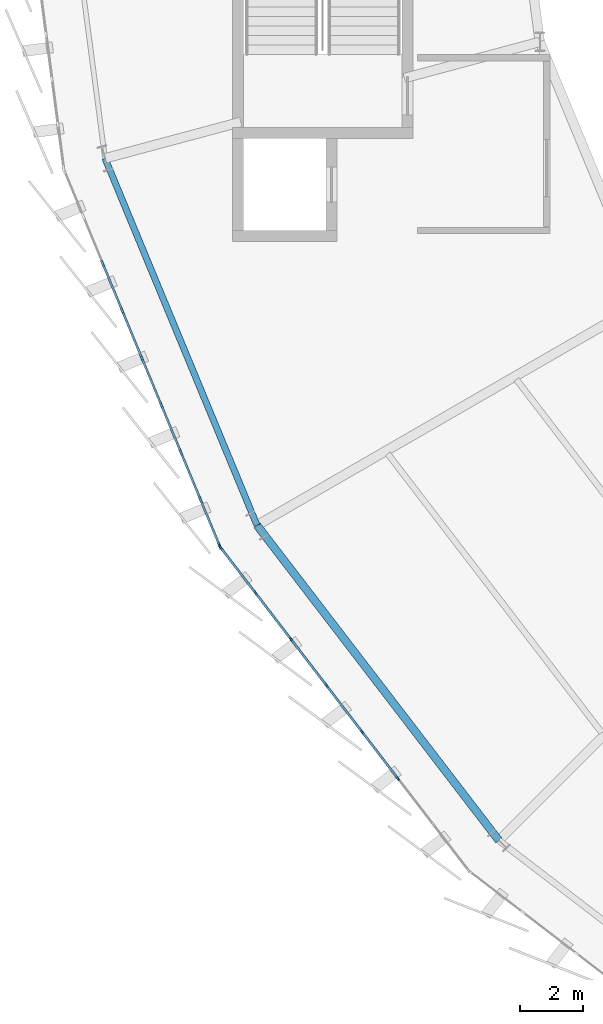
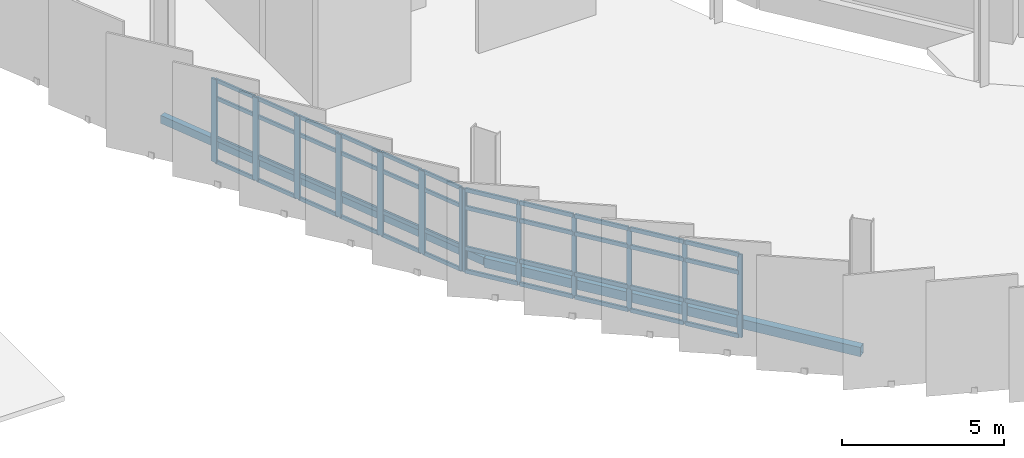
# One storey, part 17 of 87: 57 members, 2 beams, 2 elements without a shape of their own.
"""IFC4 building model written with IfcOpenShell, lengths in metres."""

from ifc_helpers import new_model, si_unit, direction, frame, origin, origin_2d, place, context, subcontext, project, spatial, rectangle, hollow_rectangle, extrude, material, layer, layer_set, material_profile, profile_set, type_object, element, aggregate, save


model = new_model("IFC4")

# Units and contexts
model_context = context("Model", 3, precision=1e-05, world=origin(), true_north=direction((0.0, 1.0)))
body_context = subcontext(model_context, "Body", "Model", "MODEL_VIEW")
ifc_project = project(units=[si_unit("LENGTHUNIT", "METRE"), si_unit("AREAUNIT", "SQUARE_METRE"), si_unit("VOLUMEUNIT", "CUBIC_METRE"), si_unit("PLANEANGLEUNIT", "RADIAN"), si_unit("MASSUNIT", "GRAM", prefix="KILO")], contexts=[model_context])

# Site, building, storey
site_placement = place(None, origin())
site = spatial("IfcSite", under=ifc_project, at=site_placement, CompositionType="ELEMENT")
building_placement = place(site_placement, origin())
building = spatial("IfcBuilding", under=site, at=building_placement, Name="Sohan Crest Arena", CompositionType="ELEMENT")
storey_placement = place(building_placement, frame((0.0, 0.0, 18.0)))
storey = spatial("IfcBuildingStorey", under=building, at=storey_placement, Name="L04", CompositionType="ELEMENT", Elevation=18.0)

# Curtain wall, members
ifc_material_1 = material(Name="Thermally broken anodised aluminium", Category="aluminium")
ifc_layer_1 = layer(ifc_material_1, 0.219970703125, Name="Thermally broken anodised aluminium")
ifc_layer_set_1 = layer_set([ifc_layer_1], Name="Thermally broken anodised aluminium")
curtain_wall_type_1 = type_object("IfcCurtainWallType", Name="ARC-CW03", PredefinedType="NOTDEFINED", material=ifc_layer_set_1)
curtain_wall_1_placement = place(storey_placement, origin())
curtain_wall_1 = element("IfcCurtainWall", 1, at=curtain_wall_1_placement, inside=storey, type_object=curtain_wall_type_1, Name="Unitised curtain wall CW-120", PredefinedType="NOTDEFINED")
ifc_material_profile_1 = material_profile(ifc_material_1, rectangle(XDim=0.06005859375, YDim=0.159912109375, at=origin_2d()), Name="ALU-MULL 60x160")
ifc_profile_set_1 = profile_set([ifc_material_profile_1], Name="Thermally broken anodised aluminium")
member_type_1 = type_object("IfcMemberType", Name="ARC-CW-ML01", PredefinedType="MULLION", material=ifc_profile_set_1)
member_1_placement = place(storey_placement, frame((55.2802734375, 53.30126953125, 0.0), z_axis=(0.0, 0.0, 1.0), x_axis=(0.793385172815, 0.60871994181, 0.0)))
member_1 = element("IfcMember", 2, at=member_1_placement, type_object=member_type_1, Name="CW-120 mullion 1", PredefinedType="MULLION", context=body_context, shape_type="SweptSolid", body=[
    extrude(rectangle(XDim=0.06005859375, YDim=0.159912109375, at=origin_2d()), origin(), (0.0, 0.0, 1.0), 3.1201171875),
])
member_2_placement = place(storey_placement, frame((56.38232421875, 51.86474609375, 0.0), z_axis=(0.0, 0.0, 1.0), x_axis=(0.793385172815, 0.60871994181, 0.0)))
member_2 = element("IfcMember", 3, at=member_2_placement, type_object=member_type_1, Name="CW-120 mullion 2", PredefinedType="MULLION", context=body_context, shape_type="SweptSolid", body=[
    extrude(rectangle(XDim=0.06005859375, YDim=0.159912109375, at=origin_2d()), origin(), (0.0, 0.0, 1.0), 3.1201171875),
])
member_3_placement = place(storey_placement, frame((57.502685546875, 50.40478515625, 0.0), z_axis=(0.0, 0.0, 1.0), x_axis=(0.793385172815, 0.60871994181, 0.0)))
member_3 = element("IfcMember", 4, at=member_3_placement, type_object=member_type_1, Name="CW-120 mullion 3", PredefinedType="MULLION", context=body_context, shape_type="SweptSolid", body=[
    extrude(rectangle(XDim=0.06005859375, YDim=0.159912109375, at=origin_2d()), origin(), (0.0, 0.0, 1.0), 3.1201171875),
])
member_4_placement = place(storey_placement, frame((58.622802734375, 48.944580078125, 0.0), z_axis=(0.0, 0.0, 1.0), x_axis=(0.793385172815, 0.60871994181, 0.0)))
member_4 = element("IfcMember", 5, at=member_4_placement, type_object=member_type_1, Name="CW-120 mullion 4", PredefinedType="MULLION", context=body_context, shape_type="SweptSolid", body=[
    extrude(rectangle(XDim=0.06005859375, YDim=0.159912109375, at=origin_2d()), origin(), (0.0, 0.0, 1.0), 3.1201171875),
])
member_5_placement = place(storey_placement, frame((59.7431640625, 47.484375, 0.0), z_axis=(0.0, 0.0, 1.0), x_axis=(0.793385172815, 0.60871994181, 0.0)))
member_5 = element("IfcMember", 6, at=member_5_placement, type_object=member_type_1, Name="CW-120 mullion 5", PredefinedType="MULLION", context=body_context, shape_type="SweptSolid", body=[
    extrude(rectangle(XDim=0.06005859375, YDim=0.159912109375, at=origin_2d()), origin(), (0.0, 0.0, 1.0), 3.1201171875),
])
member_6_placement = place(storey_placement, frame((60.863525390625, 46.024169921875, 0.0), z_axis=(0.0, 0.0, 1.0), x_axis=(0.793385172815, 0.60871994181, 0.0)))
member_6 = element("IfcMember", 7, at=member_6_placement, type_object=member_type_1, Name="CW-120 mullion 6", PredefinedType="MULLION", context=body_context, shape_type="SweptSolid", body=[
    extrude(rectangle(XDim=0.06005859375, YDim=0.159912109375, at=origin_2d()), origin(), (0.0, 0.0, 1.0), 3.1201171875),
])

ifc_layer_2 = layer(ifc_material_1, 0.199951171875, Name="Thermally broken anodised aluminium")
ifc_layer_set_2 = layer_set([ifc_layer_2], Name="Thermally broken anodised aluminium")
curtain_wall_type_2 = type_object("IfcCurtainWallType", Name="ARC-CW02", PredefinedType="NOTDEFINED", material=ifc_layer_set_2)
curtain_wall_2_placement = place(storey_placement, origin())
curtain_wall_2 = element("IfcCurtainWall", 8, at=curtain_wall_2_placement, inside=storey, type_object=curtain_wall_type_2, Name="Unitised curtain wall CW-119", PredefinedType="NOTDEFINED")
ifc_material_profile_2 = material_profile(ifc_material_1, rectangle(XDim=0.074951171875, YDim=0.219970703125, at=origin_2d()), Name="ALU-MULL 75x220")
ifc_profile_set_2 = profile_set([ifc_material_profile_2], Name="Thermally broken anodised aluminium")
member_type_2 = type_object("IfcMemberType", Name="ARC-CW-ML04", PredefinedType="MULLION", material=ifc_profile_set_2)
member_7_placement = place(storey_placement, frame((51.564453125, 62.25146484375, 0.0), z_axis=(0.0, 0.0, 1.0), x_axis=(0.923878704229, 0.382685432009, 0.0)))
member_7 = element("IfcMember", 9, at=member_7_placement, type_object=member_type_2, Name="CW-119 mullion 3", PredefinedType="MULLION", context=body_context, shape_type="SweptSolid", body=[
    extrude(rectangle(XDim=0.074951171875, YDim=0.219970703125, at=origin_2d()), origin(), (0.0, 0.0, 1.0), 3.1201171875),
])
member_8_placement = place(storey_placement, frame((52.1806640625, 60.763671875, 0.0), z_axis=(0.0, 0.0, 1.0), x_axis=(0.923878704229, 0.382685432009, 0.0)))
member_8 = element("IfcMember", 10, at=member_8_placement, type_object=member_type_2, Name="CW-119 mullion 4", PredefinedType="MULLION", context=body_context, shape_type="SweptSolid", body=[
    extrude(rectangle(XDim=0.074951171875, YDim=0.219970703125, at=origin_2d()), origin(), (0.0, 0.0, 1.0), 3.1201171875),
])
member_9_placement = place(storey_placement, frame((52.797119140625, 59.27587890625, 0.0), z_axis=(0.0, 0.0, 1.0), x_axis=(0.923878704229, 0.382685432009, 0.0)))
member_9 = element("IfcMember", 11, at=member_9_placement, type_object=member_type_2, Name="CW-119 mullion 5", PredefinedType="MULLION", context=body_context, shape_type="SweptSolid", body=[
    extrude(rectangle(XDim=0.074951171875, YDim=0.219970703125, at=origin_2d()), origin(), (0.0, 0.0, 1.0), 3.1201171875),
])
member_10_placement = place(storey_placement, frame((53.413330078125, 57.788330078125, 0.0), z_axis=(0.0, 0.0, 1.0), x_axis=(0.923878704229, 0.382685432009, 0.0)))
member_10 = element("IfcMember", 12, at=member_10_placement, type_object=member_type_2, Name="CW-119 mullion 6", PredefinedType="MULLION", context=body_context, shape_type="SweptSolid", body=[
    extrude(rectangle(XDim=0.074951171875, YDim=0.219970703125, at=origin_2d()), origin(), (0.0, 0.0, 1.0), 3.1201171875),
])
member_11_placement = place(storey_placement, frame((54.029541015625, 56.300537109375, 0.0), z_axis=(0.0, 0.0, 1.0), x_axis=(0.923878704229, 0.382685432009, 0.0)))
member_11 = element("IfcMember", 13, at=member_11_placement, type_object=member_type_2, Name="CW-119 mullion 7", PredefinedType="MULLION", context=body_context, shape_type="SweptSolid", body=[
    extrude(rectangle(XDim=0.074951171875, YDim=0.219970703125, at=origin_2d()), origin(), (0.0, 0.0, 1.0), 3.1201171875),
])
member_12_placement = place(storey_placement, frame((54.645751953125, 54.812744140625, 0.0), z_axis=(0.0, 0.0, 1.0), x_axis=(0.923878704229, 0.382685432009, 0.0)))
member_12 = element("IfcMember", 14, at=member_12_placement, type_object=member_type_2, Name="CW-119 mullion 8", PredefinedType="MULLION", context=body_context, shape_type="SweptSolid", body=[
    extrude(rectangle(XDim=0.074951171875, YDim=0.219970703125, at=origin_2d()), origin(), (0.0, 0.0, 1.0), 3.1201171875),
])
member_13_placement = place(storey_placement, frame((55.24755859375, 53.359619140625, 0.0), z_axis=(0.0, 0.0, 1.0), x_axis=(0.923878704229, 0.382685432009, 0.0)))
member_13 = element("IfcMember", 15, at=member_13_placement, type_object=member_type_2, Name="CW-119 mullion 9", PredefinedType="MULLION", context=body_context, shape_type="SweptSolid", body=[
    extrude(rectangle(XDim=0.074951171875, YDim=0.219970703125, at=origin_2d()), origin(), (0.0, 0.0, 1.0), 3.1201171875),
])
ifc_material_profile_3 = material_profile(ifc_material_1, rectangle(XDim=0.06494140625, YDim=0.139892578125, at=origin_2d()), Name="ALU-TRAN 65x140")
ifc_profile_set_3 = profile_set([ifc_material_profile_3], Name="Thermally broken anodised aluminium")
member_type_3 = type_object("IfcMemberType", Name="ARC-CW-TR02", PredefinedType="USERDEFINED", material=ifc_profile_set_3)
member_14_placement = place(storey_placement, frame((51.578857421875, 62.216796875, 0.032470703125), z_axis=(0.38274032778, -0.923855963606, 0.0), x_axis=(0.923855963606, 0.38274032778, 0.0)))
member_14 = element("IfcMember", 16, at=member_14_placement, type_object=member_type_3, Name="CW-119 transom 3.1", ObjectType="TRANSOM", PredefinedType="USERDEFINED", context=body_context, shape_type="SweptSolid", body=[
    extrude(rectangle(XDim=0.06494140625, YDim=0.139892578125, at=origin_2d()), origin(), (0.0, 0.0, 1.0), 1.535400390625),
])
member_15_placement = place(storey_placement, frame((51.578857421875, 62.216796875, 0.89990234375), z_axis=(0.38274032778, -0.923855963606, 0.0), x_axis=(0.923855963606, 0.38274032778, 0.0)))
member_15 = element("IfcMember", 17, at=member_15_placement, type_object=member_type_3, Name="CW-119 transom 3.2", ObjectType="TRANSOM", PredefinedType="USERDEFINED", context=body_context, shape_type="SweptSolid", body=[
    extrude(rectangle(XDim=0.06494140625, YDim=0.139892578125, at=origin_2d()), origin(), (0.0, 0.0, 1.0), 1.535400390625),
])
member_16_placement = place(storey_placement, frame((51.578857421875, 62.216796875, 2.419921875), z_axis=(0.38274032778, -0.923855963606, 0.0), x_axis=(0.923855963606, 0.38274032778, 0.0)))
member_16 = element("IfcMember", 18, at=member_16_placement, type_object=member_type_3, Name="CW-119 transom 3.3", ObjectType="TRANSOM", PredefinedType="USERDEFINED", context=body_context, shape_type="SweptSolid", body=[
    extrude(rectangle(XDim=0.06494140625, YDim=0.139892578125, at=origin_2d()), origin(), (0.0, 0.0, 1.0), 1.535400390625),
])
member_17_placement = place(storey_placement, frame((51.578857421875, 62.216796875, 3.08740234375), z_axis=(0.38274032778, -0.923855963606, 0.0), x_axis=(0.923855963606, 0.38274032778, 0.0)))
member_17 = element("IfcMember", 19, at=member_17_placement, type_object=member_type_3, Name="CW-119 transom 3.4", ObjectType="TRANSOM", PredefinedType="USERDEFINED", context=body_context, shape_type="SweptSolid", body=[
    extrude(rectangle(XDim=0.06494140625, YDim=0.139892578125, at=origin_2d()), origin(), (0.0, 0.0, 1.0), 1.535400390625),
])
member_18_placement = place(storey_placement, frame((52.195068359375, 60.72900390625, 0.032470703125), z_axis=(0.38274032778, -0.923855963606, 0.0), x_axis=(0.923855963606, 0.38274032778, 0.0)))
member_18 = element("IfcMember", 20, at=member_18_placement, type_object=member_type_3, Name="CW-119 transom 4.1", ObjectType="TRANSOM", PredefinedType="USERDEFINED", context=body_context, shape_type="SweptSolid", body=[
    extrude(rectangle(XDim=0.06494140625, YDim=0.139892578125, at=origin_2d()), origin(), (0.0, 0.0, 1.0), 1.535400390625),
])
member_19_placement = place(storey_placement, frame((52.195068359375, 60.72900390625, 0.89990234375), z_axis=(0.38274032778, -0.923855963606, 0.0), x_axis=(0.923855963606, 0.38274032778, 0.0)))
member_19 = element("IfcMember", 21, at=member_19_placement, type_object=member_type_3, Name="CW-119 transom 4.2", ObjectType="TRANSOM", PredefinedType="USERDEFINED", context=body_context, shape_type="SweptSolid", body=[
    extrude(rectangle(XDim=0.06494140625, YDim=0.139892578125, at=origin_2d()), origin(), (0.0, 0.0, 1.0), 1.535400390625),
])
member_20_placement = place(storey_placement, frame((52.195068359375, 60.72900390625, 2.419921875), z_axis=(0.38274032778, -0.923855963606, 0.0), x_axis=(0.923855963606, 0.38274032778, 0.0)))
member_20 = element("IfcMember", 22, at=member_20_placement, type_object=member_type_3, Name="CW-119 transom 4.3", ObjectType="TRANSOM", PredefinedType="USERDEFINED", context=body_context, shape_type="SweptSolid", body=[
    extrude(rectangle(XDim=0.06494140625, YDim=0.139892578125, at=origin_2d()), origin(), (0.0, 0.0, 1.0), 1.535400390625),
])
member_21_placement = place(storey_placement, frame((52.195068359375, 60.72900390625, 3.08740234375), z_axis=(0.38274032778, -0.923855963606, 0.0), x_axis=(0.923855963606, 0.38274032778, 0.0)))
member_21 = element("IfcMember", 23, at=member_21_placement, type_object=member_type_3, Name="CW-119 transom 4.4", ObjectType="TRANSOM", PredefinedType="USERDEFINED", context=body_context, shape_type="SweptSolid", body=[
    extrude(rectangle(XDim=0.06494140625, YDim=0.139892578125, at=origin_2d()), origin(), (0.0, 0.0, 1.0), 1.535400390625),
])
member_22_placement = place(storey_placement, frame((52.811279296875, 59.241455078125, 0.032470703125), z_axis=(0.38274032778, -0.923855963606, 0.0), x_axis=(0.923855963606, 0.38274032778, 0.0)))
member_22 = element("IfcMember", 24, at=member_22_placement, type_object=member_type_3, Name="CW-119 transom 5.1", ObjectType="TRANSOM", PredefinedType="USERDEFINED", context=body_context, shape_type="SweptSolid", body=[
    extrude(rectangle(XDim=0.06494140625, YDim=0.139892578125, at=origin_2d()), origin(), (0.0, 0.0, 1.0), 1.535400390625),
])
member_23_placement = place(storey_placement, frame((52.811279296875, 59.241455078125, 0.89990234375), z_axis=(0.38274032778, -0.923855963606, 0.0), x_axis=(0.923855963606, 0.38274032778, 0.0)))
member_23 = element("IfcMember", 25, at=member_23_placement, type_object=member_type_3, Name="CW-119 transom 5.2", ObjectType="TRANSOM", PredefinedType="USERDEFINED", context=body_context, shape_type="SweptSolid", body=[
    extrude(rectangle(XDim=0.06494140625, YDim=0.139892578125, at=origin_2d()), origin(), (0.0, 0.0, 1.0), 1.535400390625),
])
member_24_placement = place(storey_placement, frame((52.811279296875, 59.241455078125, 2.419921875), z_axis=(0.38274032778, -0.923855963606, 0.0), x_axis=(0.923855963606, 0.38274032778, 0.0)))
member_24 = element("IfcMember", 26, at=member_24_placement, type_object=member_type_3, Name="CW-119 transom 5.3", ObjectType="TRANSOM", PredefinedType="USERDEFINED", context=body_context, shape_type="SweptSolid", body=[
    extrude(rectangle(XDim=0.06494140625, YDim=0.139892578125, at=origin_2d()), origin(), (0.0, 0.0, 1.0), 1.535400390625),
])
member_25_placement = place(storey_placement, frame((52.811279296875, 59.241455078125, 3.08740234375), z_axis=(0.38274032778, -0.923855963606, 0.0), x_axis=(0.923855963606, 0.38274032778, 0.0)))
member_25 = element("IfcMember", 27, at=member_25_placement, type_object=member_type_3, Name="CW-119 transom 5.4", ObjectType="TRANSOM", PredefinedType="USERDEFINED", context=body_context, shape_type="SweptSolid", body=[
    extrude(rectangle(XDim=0.06494140625, YDim=0.139892578125, at=origin_2d()), origin(), (0.0, 0.0, 1.0), 1.535400390625),
])
member_26_placement = place(storey_placement, frame((53.427490234375, 57.753662109375, 0.032470703125), z_axis=(0.38274032778, -0.923855963606, 0.0), x_axis=(0.923855963606, 0.38274032778, 0.0)))
member_26 = element("IfcMember", 28, at=member_26_placement, type_object=member_type_3, Name="CW-119 transom 6.1", ObjectType="TRANSOM", PredefinedType="USERDEFINED", context=body_context, shape_type="SweptSolid", body=[
    extrude(rectangle(XDim=0.06494140625, YDim=0.139892578125, at=origin_2d()), origin(), (0.0, 0.0, 1.0), 1.535400390625),
])
member_27_placement = place(storey_placement, frame((53.427490234375, 57.753662109375, 0.89990234375), z_axis=(0.38274032778, -0.923855963606, 0.0), x_axis=(0.923855963606, 0.38274032778, 0.0)))
member_27 = element("IfcMember", 29, at=member_27_placement, type_object=member_type_3, Name="CW-119 transom 6.2", ObjectType="TRANSOM", PredefinedType="USERDEFINED", context=body_context, shape_type="SweptSolid", body=[
    extrude(rectangle(XDim=0.06494140625, YDim=0.139892578125, at=origin_2d()), origin(), (0.0, 0.0, 1.0), 1.535400390625),
])
member_28_placement = place(storey_placement, frame((53.427490234375, 57.753662109375, 2.419921875), z_axis=(0.38274032778, -0.923855963606, 0.0), x_axis=(0.923855963606, 0.38274032778, 0.0)))
member_28 = element("IfcMember", 30, at=member_28_placement, type_object=member_type_3, Name="CW-119 transom 6.3", ObjectType="TRANSOM", PredefinedType="USERDEFINED", context=body_context, shape_type="SweptSolid", body=[
    extrude(rectangle(XDim=0.06494140625, YDim=0.139892578125, at=origin_2d()), origin(), (0.0, 0.0, 1.0), 1.535400390625),
])
member_29_placement = place(storey_placement, frame((53.427490234375, 57.753662109375, 3.08740234375), z_axis=(0.38274032778, -0.923855963606, 0.0), x_axis=(0.923855963606, 0.38274032778, 0.0)))
member_29 = element("IfcMember", 31, at=member_29_placement, type_object=member_type_3, Name="CW-119 transom 6.4", ObjectType="TRANSOM", PredefinedType="USERDEFINED", context=body_context, shape_type="SweptSolid", body=[
    extrude(rectangle(XDim=0.06494140625, YDim=0.139892578125, at=origin_2d()), origin(), (0.0, 0.0, 1.0), 1.535400390625),
])
member_30_placement = place(storey_placement, frame((54.0439453125, 56.265869140625, 0.032470703125), z_axis=(0.382604597635, -0.923912182985, 0.0), x_axis=(0.923912182985, 0.382604597635, 0.0)))
member_30 = element("IfcMember", 32, at=member_30_placement, type_object=member_type_3, Name="CW-119 transom 7.1", ObjectType="TRANSOM", PredefinedType="USERDEFINED", context=body_context, shape_type="SweptSolid", body=[
    extrude(rectangle(XDim=0.06494140625, YDim=0.139892578125, at=origin_2d()), origin(), (0.0, 0.0, 1.0), 1.53515625),
])
member_31_placement = place(storey_placement, frame((54.0439453125, 56.265869140625, 0.89990234375), z_axis=(0.382604597635, -0.923912182985, 0.0), x_axis=(0.923912182985, 0.382604597635, 0.0)))
member_31 = element("IfcMember", 33, at=member_31_placement, type_object=member_type_3, Name="CW-119 transom 7.2", ObjectType="TRANSOM", PredefinedType="USERDEFINED", context=body_context, shape_type="SweptSolid", body=[
    extrude(rectangle(XDim=0.06494140625, YDim=0.139892578125, at=origin_2d()), origin(), (0.0, 0.0, 1.0), 1.53515625),
])
member_32_placement = place(storey_placement, frame((54.0439453125, 56.265869140625, 2.419921875), z_axis=(0.382604597635, -0.923912182985, 0.0), x_axis=(0.923912182985, 0.382604597635, 0.0)))
member_32 = element("IfcMember", 34, at=member_32_placement, type_object=member_type_3, Name="CW-119 transom 7.3", ObjectType="TRANSOM", PredefinedType="USERDEFINED", context=body_context, shape_type="SweptSolid", body=[
    extrude(rectangle(XDim=0.06494140625, YDim=0.139892578125, at=origin_2d()), origin(), (0.0, 0.0, 1.0), 1.53515625),
])
member_33_placement = place(storey_placement, frame((54.0439453125, 56.265869140625, 3.08740234375), z_axis=(0.382604597635, -0.923912182985, 0.0), x_axis=(0.923912182985, 0.382604597635, 0.0)))
member_33 = element("IfcMember", 35, at=member_33_placement, type_object=member_type_3, Name="CW-119 transom 7.4", ObjectType="TRANSOM", PredefinedType="USERDEFINED", context=body_context, shape_type="SweptSolid", body=[
    extrude(rectangle(XDim=0.06494140625, YDim=0.139892578125, at=origin_2d()), origin(), (0.0, 0.0, 1.0), 1.53515625),
])
member_34_placement = place(storey_placement, frame((54.66015625, 54.778076171875, 0.032470703125), z_axis=(0.382716478617, -0.923865843613, 0.0), x_axis=(0.923865843613, 0.382716478617, 0.0)))
member_34 = element("IfcMember", 36, at=member_34_placement, type_object=member_type_3, Name="CW-119 transom 8.1", ObjectType="TRANSOM", PredefinedType="USERDEFINED", context=body_context, shape_type="SweptSolid", body=[
    extrude(rectangle(XDim=0.06494140625, YDim=0.139892578125, at=origin_2d()), origin(), (0.0, 0.0, 1.0), 1.497802734375),
])
member_35_placement = place(storey_placement, frame((54.66015625, 54.778076171875, 0.89990234375), z_axis=(0.382716478617, -0.923865843613, 0.0), x_axis=(0.923865843613, 0.382716478617, 0.0)))
member_35 = element("IfcMember", 37, at=member_35_placement, type_object=member_type_3, Name="CW-119 transom 8.2", ObjectType="TRANSOM", PredefinedType="USERDEFINED", context=body_context, shape_type="SweptSolid", body=[
    extrude(rectangle(XDim=0.06494140625, YDim=0.139892578125, at=origin_2d()), origin(), (0.0, 0.0, 1.0), 1.497802734375),
])
member_36_placement = place(storey_placement, frame((54.66015625, 54.778076171875, 2.419921875), z_axis=(0.382716478617, -0.923865843613, 0.0), x_axis=(0.923865843613, 0.382716478617, 0.0)))
member_36 = element("IfcMember", 38, at=member_36_placement, type_object=member_type_3, Name="CW-119 transom 8.3", ObjectType="TRANSOM", PredefinedType="USERDEFINED", context=body_context, shape_type="SweptSolid", body=[
    extrude(rectangle(XDim=0.06494140625, YDim=0.139892578125, at=origin_2d()), origin(), (0.0, 0.0, 1.0), 1.497802734375),
])
member_37_placement = place(storey_placement, frame((54.66015625, 54.778076171875, 3.08740234375), z_axis=(0.382716478617, -0.923865843613, 0.0), x_axis=(0.923865843613, 0.382716478617, 0.0)))
member_37 = element("IfcMember", 39, at=member_37_placement, type_object=member_type_3, Name="CW-119 transom 8.4", ObjectType="TRANSOM", PredefinedType="USERDEFINED", context=body_context, shape_type="SweptSolid", body=[
    extrude(rectangle(XDim=0.06494140625, YDim=0.139892578125, at=origin_2d()), origin(), (0.0, 0.0, 1.0), 1.497802734375),
])
aggregate(curtain_wall_2, [member_7, member_8, member_9, member_10, member_11, member_12, member_13, member_14, member_15, member_16, member_17, member_18, member_19, member_20, member_21, member_22, member_23, member_24, member_25, member_26, member_27, member_28, member_29, member_30, member_31, member_32, member_33, member_34, member_35, member_36, member_37])

# Member
ifc_material_profile_4 = material_profile(ifc_material_1, rectangle(XDim=0.070068359375, YDim=0.14990234375, at=origin_2d()), Name="ALU-TRAN 70x150")
ifc_profile_set_4 = profile_set([ifc_material_profile_4], Name="Thermally broken anodised aluminium")
member_type_4 = type_object("IfcMemberType", Name="ARC-CW-TR03", PredefinedType="USERDEFINED", material=ifc_profile_set_4)
member_38_placement = place(storey_placement, frame((55.298583984375, 53.27734375, 0.034912109375), z_axis=(0.608712622948, -0.793390788114, 0.0), x_axis=(0.793390788114, 0.608712622948, 0.0)))
member_38 = element("IfcMember", 40, at=member_38_placement, type_object=member_type_4, Name="CW-120 transom 1.1", ObjectType="TRANSOM", PredefinedType="USERDEFINED", context=body_context, shape_type="SweptSolid", body=[
    extrude(rectangle(XDim=0.070068359375, YDim=0.14990234375, at=origin_2d()), origin(), (0.0, 0.0, 1.0), 1.750244140625),
])

member_39_placement = place(storey_placement, frame((55.298583984375, 53.27734375, 0.89990234375), z_axis=(0.608712622948, -0.793390788114, 0.0), x_axis=(0.793390788114, 0.608712622948, 0.0)))
member_39 = element("IfcMember", 41, at=member_39_placement, type_object=member_type_4, Name="CW-120 transom 1.2", ObjectType="TRANSOM", PredefinedType="USERDEFINED", context=body_context, shape_type="SweptSolid", body=[
    extrude(rectangle(XDim=0.070068359375, YDim=0.14990234375, at=origin_2d()), origin(), (0.0, 0.0, 1.0), 1.750244140625),
])

member_40_placement = place(storey_placement, frame((55.298583984375, 53.27734375, 2.419921875), z_axis=(0.608712622948, -0.793390788114, 0.0), x_axis=(0.793390788114, 0.608712622948, 0.0)))
member_40 = element("IfcMember", 42, at=member_40_placement, type_object=member_type_4, Name="CW-120 transom 1.3", ObjectType="TRANSOM", PredefinedType="USERDEFINED", context=body_context, shape_type="SweptSolid", body=[
    extrude(rectangle(XDim=0.070068359375, YDim=0.14990234375, at=origin_2d()), origin(), (0.0, 0.0, 1.0), 1.750244140625),
])

member_41_placement = place(storey_placement, frame((55.298583984375, 53.27734375, 3.0849609375), z_axis=(0.608712622948, -0.793390788114, 0.0), x_axis=(0.793390788114, 0.608712622948, 0.0)))
member_41 = element("IfcMember", 43, at=member_41_placement, type_object=member_type_4, Name="CW-120 transom 1.4", ObjectType="TRANSOM", PredefinedType="USERDEFINED", context=body_context, shape_type="SweptSolid", body=[
    extrude(rectangle(XDim=0.070068359375, YDim=0.14990234375, at=origin_2d()), origin(), (0.0, 0.0, 1.0), 1.750244140625),
])

member_42_placement = place(storey_placement, frame((56.400634765625, 51.841064453125, 0.034912109375), z_axis=(0.608696355161, -0.793403268971, 0.0), x_axis=(0.793403268971, 0.608696355161, 0.0)))
member_42 = element("IfcMember", 44, at=member_42_placement, type_object=member_type_4, Name="CW-120 transom 2.1", ObjectType="TRANSOM", PredefinedType="USERDEFINED", context=body_context, shape_type="SweptSolid", body=[
    extrude(rectangle(XDim=0.070068359375, YDim=0.14990234375, at=origin_2d()), origin(), (0.0, 0.0, 1.0), 1.780517578125),
])

member_43_placement = place(storey_placement, frame((56.400634765625, 51.841064453125, 0.89990234375), z_axis=(0.608696355161, -0.793403268971, 0.0), x_axis=(0.793403268971, 0.608696355161, 0.0)))
member_43 = element("IfcMember", 45, at=member_43_placement, type_object=member_type_4, Name="CW-120 transom 2.2", ObjectType="TRANSOM", PredefinedType="USERDEFINED", context=body_context, shape_type="SweptSolid", body=[
    extrude(rectangle(XDim=0.070068359375, YDim=0.14990234375, at=origin_2d()), origin(), (0.0, 0.0, 1.0), 1.780517578125),
])

member_44_placement = place(storey_placement, frame((56.400634765625, 51.841064453125, 2.419921875), z_axis=(0.608696355161, -0.793403268971, 0.0), x_axis=(0.793403268971, 0.608696355161, 0.0)))
member_44 = element("IfcMember", 46, at=member_44_placement, type_object=member_type_4, Name="CW-120 transom 2.3", ObjectType="TRANSOM", PredefinedType="USERDEFINED", context=body_context, shape_type="SweptSolid", body=[
    extrude(rectangle(XDim=0.070068359375, YDim=0.14990234375, at=origin_2d()), origin(), (0.0, 0.0, 1.0), 1.780517578125),
])

member_45_placement = place(storey_placement, frame((56.400634765625, 51.841064453125, 3.0849609375), z_axis=(0.608696355161, -0.793403268971, 0.0), x_axis=(0.793403268971, 0.608696355161, 0.0)))
member_45 = element("IfcMember", 47, at=member_45_placement, type_object=member_type_4, Name="CW-120 transom 2.4", ObjectType="TRANSOM", PredefinedType="USERDEFINED", context=body_context, shape_type="SweptSolid", body=[
    extrude(rectangle(XDim=0.070068359375, YDim=0.14990234375, at=origin_2d()), origin(), (0.0, 0.0, 1.0), 1.780517578125),
])

member_46_placement = place(storey_placement, frame((57.520751953125, 50.380859375, 0.034912109375), z_axis=(0.608696355161, -0.793403268971, 0.0), x_axis=(0.793403268971, 0.608696355161, 0.0)))
member_46 = element("IfcMember", 48, at=member_46_placement, type_object=member_type_4, Name="CW-120 transom 3.1", ObjectType="TRANSOM", PredefinedType="USERDEFINED", context=body_context, shape_type="SweptSolid", body=[
    extrude(rectangle(XDim=0.070068359375, YDim=0.14990234375, at=origin_2d()), origin(), (0.0, 0.0, 1.0), 1.780517578125),
])

member_47_placement = place(storey_placement, frame((57.520751953125, 50.380859375, 0.89990234375), z_axis=(0.608696355161, -0.793403268971, 0.0), x_axis=(0.793403268971, 0.608696355161, 0.0)))
member_47 = element("IfcMember", 49, at=member_47_placement, type_object=member_type_4, Name="CW-120 transom 3.2", ObjectType="TRANSOM", PredefinedType="USERDEFINED", context=body_context, shape_type="SweptSolid", body=[
    extrude(rectangle(XDim=0.070068359375, YDim=0.14990234375, at=origin_2d()), origin(), (0.0, 0.0, 1.0), 1.780517578125),
])

member_48_placement = place(storey_placement, frame((57.520751953125, 50.380859375, 2.419921875), z_axis=(0.608696355161, -0.793403268971, 0.0), x_axis=(0.793403268971, 0.608696355161, 0.0)))
member_48 = element("IfcMember", 50, at=member_48_placement, type_object=member_type_4, Name="CW-120 transom 3.3", ObjectType="TRANSOM", PredefinedType="USERDEFINED", context=body_context, shape_type="SweptSolid", body=[
    extrude(rectangle(XDim=0.070068359375, YDim=0.14990234375, at=origin_2d()), origin(), (0.0, 0.0, 1.0), 1.780517578125),
])

member_49_placement = place(storey_placement, frame((57.520751953125, 50.380859375, 3.0849609375), z_axis=(0.608696355161, -0.793403268971, 0.0), x_axis=(0.793403268971, 0.608696355161, 0.0)))
member_49 = element("IfcMember", 51, at=member_49_placement, type_object=member_type_4, Name="CW-120 transom 3.4", ObjectType="TRANSOM", PredefinedType="USERDEFINED", context=body_context, shape_type="SweptSolid", body=[
    extrude(rectangle(XDim=0.070068359375, YDim=0.14990234375, at=origin_2d()), origin(), (0.0, 0.0, 1.0), 1.780517578125),
])

member_50_placement = place(storey_placement, frame((58.64111328125, 48.920654296875, 0.034912109375), z_axis=(0.608762583458, -0.79335245445, 0.0), x_axis=(0.79335245445, 0.608762583458, 0.0)))
member_50 = element("IfcMember", 52, at=member_50_placement, type_object=member_type_4, Name="CW-120 transom 4.1", ObjectType="TRANSOM", PredefinedType="USERDEFINED", context=body_context, shape_type="SweptSolid", body=[
    extrude(rectangle(XDim=0.070068359375, YDim=0.14990234375, at=origin_2d()), origin(), (0.0, 0.0, 1.0), 1.7802734375),
])

member_51_placement = place(storey_placement, frame((58.64111328125, 48.920654296875, 0.89990234375), z_axis=(0.608762583458, -0.79335245445, 0.0), x_axis=(0.79335245445, 0.608762583458, 0.0)))
member_51 = element("IfcMember", 53, at=member_51_placement, type_object=member_type_4, Name="CW-120 transom 4.2", ObjectType="TRANSOM", PredefinedType="USERDEFINED", context=body_context, shape_type="SweptSolid", body=[
    extrude(rectangle(XDim=0.070068359375, YDim=0.14990234375, at=origin_2d()), origin(), (0.0, 0.0, 1.0), 1.7802734375),
])

member_52_placement = place(storey_placement, frame((58.64111328125, 48.920654296875, 2.419921875), z_axis=(0.608762583458, -0.79335245445, 0.0), x_axis=(0.79335245445, 0.608762583458, 0.0)))
member_52 = element("IfcMember", 54, at=member_52_placement, type_object=member_type_4, Name="CW-120 transom 4.3", ObjectType="TRANSOM", PredefinedType="USERDEFINED", context=body_context, shape_type="SweptSolid", body=[
    extrude(rectangle(XDim=0.070068359375, YDim=0.14990234375, at=origin_2d()), origin(), (0.0, 0.0, 1.0), 1.7802734375),
])

member_53_placement = place(storey_placement, frame((58.64111328125, 48.920654296875, 3.0849609375), z_axis=(0.608762583458, -0.79335245445, 0.0), x_axis=(0.79335245445, 0.608762583458, 0.0)))
member_53 = element("IfcMember", 55, at=member_53_placement, type_object=member_type_4, Name="CW-120 transom 4.4", ObjectType="TRANSOM", PredefinedType="USERDEFINED", context=body_context, shape_type="SweptSolid", body=[
    extrude(rectangle(XDim=0.070068359375, YDim=0.14990234375, at=origin_2d()), origin(), (0.0, 0.0, 1.0), 1.7802734375),
])

member_54_placement = place(storey_placement, frame((59.761474609375, 47.460693359375, 0.034912109375), z_axis=(0.608696355161, -0.793403268971, 0.0), x_axis=(0.793403268971, 0.608696355161, 0.0)))
member_54 = element("IfcMember", 56, at=member_54_placement, type_object=member_type_4, Name="CW-120 transom 5.1", ObjectType="TRANSOM", PredefinedType="USERDEFINED", context=body_context, shape_type="SweptSolid", body=[
    extrude(rectangle(XDim=0.070068359375, YDim=0.14990234375, at=origin_2d()), origin(), (0.0, 0.0, 1.0), 1.780517578125),
])

member_55_placement = place(storey_placement, frame((59.761474609375, 47.460693359375, 0.89990234375), z_axis=(0.608696355161, -0.793403268971, 0.0), x_axis=(0.793403268971, 0.608696355161, 0.0)))
member_55 = element("IfcMember", 57, at=member_55_placement, type_object=member_type_4, Name="CW-120 transom 5.2", ObjectType="TRANSOM", PredefinedType="USERDEFINED", context=body_context, shape_type="SweptSolid", body=[
    extrude(rectangle(XDim=0.070068359375, YDim=0.14990234375, at=origin_2d()), origin(), (0.0, 0.0, 1.0), 1.780517578125),
])

member_56_placement = place(storey_placement, frame((59.761474609375, 47.460693359375, 2.419921875), z_axis=(0.608696355161, -0.793403268971, 0.0), x_axis=(0.793403268971, 0.608696355161, 0.0)))
member_56 = element("IfcMember", 58, at=member_56_placement, type_object=member_type_4, Name="CW-120 transom 5.3", ObjectType="TRANSOM", PredefinedType="USERDEFINED", context=body_context, shape_type="SweptSolid", body=[
    extrude(rectangle(XDim=0.070068359375, YDim=0.14990234375, at=origin_2d()), origin(), (0.0, 0.0, 1.0), 1.780517578125),
])

member_57_placement = place(storey_placement, frame((59.761474609375, 47.460693359375, 3.0849609375), z_axis=(0.608696355161, -0.793403268971, 0.0), x_axis=(0.793403268971, 0.608696355161, 0.0)))
member_57 = element("IfcMember", 59, at=member_57_placement, type_object=member_type_4, Name="CW-120 transom 5.4", ObjectType="TRANSOM", PredefinedType="USERDEFINED", context=body_context, shape_type="SweptSolid", body=[
    extrude(rectangle(XDim=0.070068359375, YDim=0.14990234375, at=origin_2d()), origin(), (0.0, 0.0, 1.0), 1.780517578125),
])

aggregate(curtain_wall_1, [member_1, member_2, member_3, member_4, member_5, member_6, member_38, member_39, member_40, member_41, member_42, member_43, member_44, member_45, member_46, member_47, member_48, member_49, member_50, member_51, member_52, member_53, member_54, member_55, member_56, member_57])

# Beams
ifc_material_2 = material(Name="Steel S355", Category="steel")
ifc_material_profile_5 = material_profile(ifc_material_2, hollow_rectangle(XDim=0.199951171875, YDim=0.300048828125, WallThickness=0.010009765625, at=origin_2d()), Name="RHS 300x200x10")
ifc_profile_set_5 = profile_set([ifc_material_profile_5], Name="Steel S355")
beam_type_1 = type_object("IfcBeamType", Name="STR-BM-SP03", PredefinedType="SPANDREL", material=ifc_profile_set_5)
beam_1_placement = place(storey_placement, frame((51.635986328125, 65.576904296875, -0.39990234375), z_axis=(0.382656941645, -0.923890504882, 0.0), x_axis=(0.923890504882, 0.382656941645, 0.0)))
element("IfcBeam", 60, at=beam_1_placement, inside=storey, type_object=beam_type_1, Name="Structural beam SP-L04-1583", PredefinedType="SPANDREL", context=body_context, shape_type="SweptSolid", body=[
    extrude(hollow_rectangle(XDim=0.199951171875, YDim=0.300048828125, WallThickness=0.010009765625, at=origin_2d()), origin(), (0.0, 0.0, 1.0), 12.530517578125),
])
ifc_material_profile_6 = material_profile(ifc_material_2, hollow_rectangle(XDim=0.25, YDim=0.35009765625, WallThickness=0.012451171875, at=origin_2d()), Name="RHS 350x250x12.5")
ifc_profile_set_6 = profile_set([ifc_material_profile_6], Name="Steel S355")
beam_type_2 = type_object("IfcBeamType", Name="STR-BM-SP04", PredefinedType="SPANDREL", material=ifc_profile_set_6)
beam_2_placement = place(storey_placement, frame((56.430908203125, 54.0, -0.425048828125), z_axis=(0.608773443368, -0.793344121205, 0.0), x_axis=(0.793344121205, 0.608773443368, 0.0)))
element("IfcBeam", 61, at=beam_2_placement, inside=storey, type_object=beam_type_2, Name="Structural beam SP-L04-1586", PredefinedType="SPANDREL", context=body_context, shape_type="SweptSolid", body=[
    extrude(hollow_rectangle(XDim=0.25, YDim=0.35009765625, WallThickness=0.012451171875, at=origin_2d()), origin(), (0.0, 0.0, 1.0), 12.530517578125),
])

save(model, "model.ifc")
